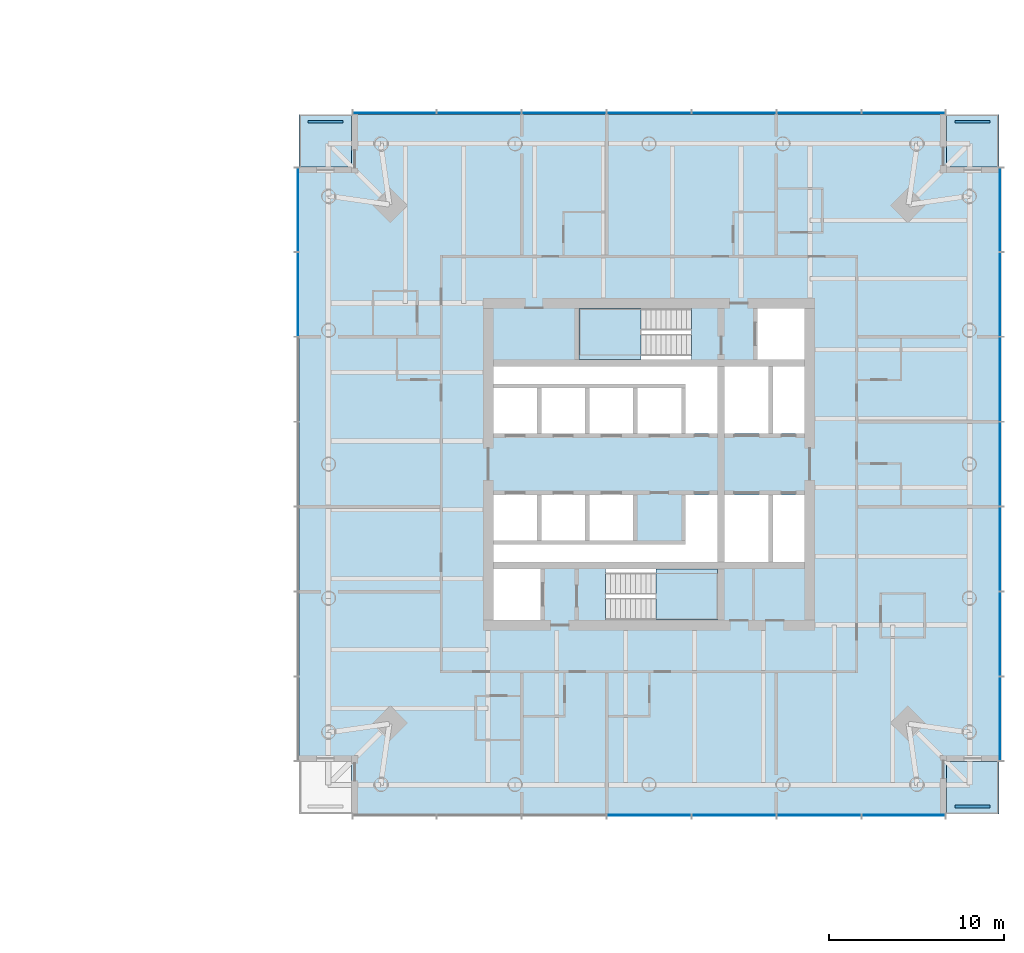
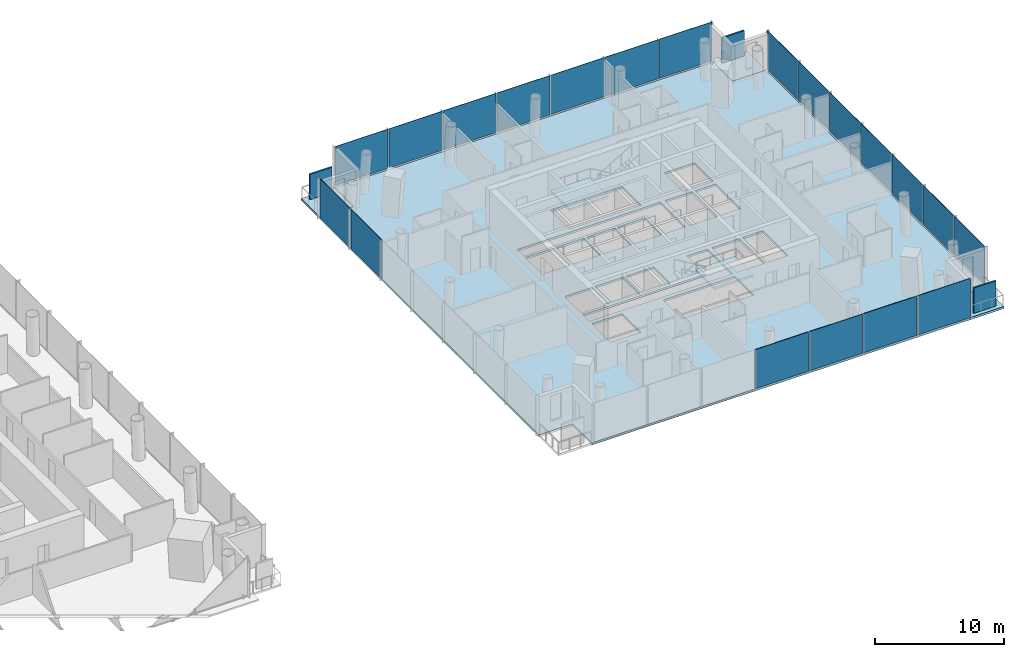
# One storey, part 8 of 26: 23 plates, 6 slabs, 6 elements without a shape of their own.
"""IFC4 building model written with IfcOpenShell, lengths in metres."""

from ifc_helpers import new_model, si_unit, direction, frame, origin, origin_2d, place, context, subcontext, project, spatial, polyline, rectangle, outline, extrude, material, layer, layer_set, type_object, element, aggregate, save


model = new_model("IFC4")

# Units and contexts
model_context = context("Model", 3, precision=1e-05, world=origin(), true_north=direction((0.0, 1.0)))
body_context = subcontext(model_context, "Body", "Model", "MODEL_VIEW")
ifc_project = project(units=[si_unit("LENGTHUNIT", "METRE"), si_unit("AREAUNIT", "SQUARE_METRE"), si_unit("VOLUMEUNIT", "CUBIC_METRE"), si_unit("PLANEANGLEUNIT", "RADIAN"), si_unit("MASSUNIT", "GRAM", prefix="KILO")], contexts=[model_context])

# Site, building, storey
site_placement = place(None, origin())
site = spatial("IfcSite", under=ifc_project, at=site_placement, CompositionType="ELEMENT")
building_placement = place(site_placement, origin())
building = spatial("IfcBuilding", under=site, at=building_placement, Name="Ostroluk Exchange", CompositionType="ELEMENT")
storey_placement = place(building_placement, frame((0.0, 0.0, 36.199951171875)))
storey = spatial("IfcBuildingStorey", under=building, at=storey_placement, Name="L08", CompositionType="ELEMENT", Elevation=36.199951171875)

# Curtain wall, plates
ifc_material_1 = material(Name="Laminated clear glass", Category="glass")
curtain_wall_type = type_object("IfcCurtainWallType", Name="Hotel guest floor facade", PredefinedType="USERDEFINED", material=ifc_material_1)
curtain_wall_1_placement = place(storey_placement, origin())
curtain_wall_1 = element("IfcCurtainWall", 1, at=curtain_wall_1_placement, inside=storey, type_object=curtain_wall_type, Name="Hotel tower south facade L08", ObjectType="UNITISED CURTAIN WALL", PredefinedType="USERDEFINED")
ifc_material_2 = material(Name="Laminated clear glass", Category="glass")
ifc_layer_1 = layer(ifc_material_2, 0.0400390625)
ifc_layer_set_1 = layer_set([ifc_layer_1], Name="Acoustic laminated glazing 40")
plate_type_1 = type_object("IfcPlateType", Name="Acoustic laminated glazing 40", PredefinedType="CURTAIN_PANEL", material=ifc_layer_set_1)
plate_1_placement = place(storey_placement, frame((117.0, 25.925048828125, 0.080078125), z_axis=(0.0, 0.0, 1.0), x_axis=(1.0, 0.0, 0.0)))
plate_1 = element("IfcPlate", 2, at=plate_1_placement, type_object=plate_type_1, Name="CW-H1 panel 4.1", PredefinedType="CURTAIN_PANEL", context=body_context, shape_type="SweptSolid", body=[
    extrude(rectangle(XDim=4.777099609375, YDim=0.0400390625, at=origin_2d()), origin(), (0.0, 0.0, 1.0), 3.719970703125),
])
plate_2_placement = place(storey_placement, frame((121.857177734375, 25.925048828125, 0.080078125), z_axis=(0.0, 0.0, 1.0), x_axis=(1.0, 0.0, 0.0)))
plate_2 = element("IfcPlate", 3, at=plate_2_placement, type_object=plate_type_1, Name="CW-H1 panel 5.1", PredefinedType="CURTAIN_PANEL", context=body_context, shape_type="SweptSolid", body=[
    extrude(rectangle(XDim=4.777099609375, YDim=0.0400390625, at=origin_2d()), origin(), (0.0, 0.0, 1.0), 3.719970703125),
])
plate_3_placement = place(storey_placement, frame((126.71435546875, 25.925048828125, 0.080078125), z_axis=(0.0, 0.0, 1.0), x_axis=(1.0, 0.0, 0.0)))
plate_3 = element("IfcPlate", 4, at=plate_3_placement, type_object=plate_type_1, Name="CW-H1 panel 6.1", PredefinedType="CURTAIN_PANEL", context=body_context, shape_type="SweptSolid", body=[
    extrude(rectangle(XDim=4.777099609375, YDim=0.0400390625, at=origin_2d()), origin(), (0.0, 0.0, 1.0), 3.719970703125),
])
plate_4_placement = place(storey_placement, frame((131.551513671875, 25.925048828125, 0.080078125), z_axis=(0.0, 0.0, 1.0), x_axis=(1.0, 0.0, 0.0)))
plate_4 = element("IfcPlate", 5, at=plate_4_placement, type_object=plate_type_1, Name="CW-H1 panel 7.1", PredefinedType="CURTAIN_PANEL", context=body_context, shape_type="SweptSolid", body=[
    extrude(rectangle(XDim=4.737060546875, YDim=0.0400390625, at=origin_2d()), origin(), (0.0, 0.0, 1.0), 3.719970703125),
])
aggregate(curtain_wall_1, [plate_1, plate_2, plate_3, plate_4])

curtain_wall_2_placement = place(storey_placement, origin())
curtain_wall_2 = element("IfcCurtainWall", 6, at=curtain_wall_2_placement, inside=storey, type_object=curtain_wall_type, Name="Hotel tower east facade L08", ObjectType="UNITISED CURTAIN WALL", PredefinedType="USERDEFINED")
plate_5_placement = place(storey_placement, frame((137.074951171875, 31.448486328125, 0.080078125), z_axis=(0.0, 0.0, 1.0), x_axis=(0.0, 1.0, 0.0)))
plate_5 = element("IfcPlate", 7, at=plate_5_placement, type_object=plate_type_1, Name="CW-H1 panel 1.1", PredefinedType="CURTAIN_PANEL", context=body_context, shape_type="SweptSolid", body=[
    extrude(rectangle(XDim=4.737060546875, YDim=0.0400390625, at=origin_2d()), origin(), (0.0, 0.0, 1.0), 3.719970703125),
])
plate_6_placement = place(storey_placement, frame((137.074951171875, 36.28564453125, 0.080078125), z_axis=(0.0, 0.0, 1.0), x_axis=(0.0, 1.0, 0.0)))
plate_6 = element("IfcPlate", 8, at=plate_6_placement, type_object=plate_type_1, Name="CW-H1 panel 2.1", PredefinedType="CURTAIN_PANEL", context=body_context, shape_type="SweptSolid", body=[
    extrude(rectangle(XDim=4.777099609375, YDim=0.0400390625, at=origin_2d()), origin(), (0.0, 0.0, 1.0), 3.719970703125),
])
plate_7_placement = place(storey_placement, frame((137.074951171875, 41.142822265625, 0.080078125), z_axis=(0.0, 0.0, 1.0), x_axis=(0.0, 1.0, 0.0)))
plate_7 = element("IfcPlate", 9, at=plate_7_placement, type_object=plate_type_1, Name="CW-H1 panel 3.1", PredefinedType="CURTAIN_PANEL", context=body_context, shape_type="SweptSolid", body=[
    extrude(rectangle(XDim=4.777099609375, YDim=0.0400390625, at=origin_2d()), origin(), (0.0, 0.0, 1.0), 3.719970703125),
])
plate_8_placement = place(storey_placement, frame((137.074951171875, 46.0, 0.080078125), z_axis=(0.0, 0.0, 1.0), x_axis=(0.0, 1.0, 0.0)))
plate_8 = element("IfcPlate", 10, at=plate_8_placement, type_object=plate_type_1, Name="CW-H1 panel 4.1", PredefinedType="CURTAIN_PANEL", context=body_context, shape_type="SweptSolid", body=[
    extrude(rectangle(XDim=4.777099609375, YDim=0.0400390625, at=origin_2d()), origin(), (0.0, 0.0, 1.0), 3.719970703125),
])
plate_9_placement = place(storey_placement, frame((137.074951171875, 50.857177734375, 0.080078125), z_axis=(0.0, 0.0, 1.0), x_axis=(0.0, 1.0, 0.0)))
plate_9 = element("IfcPlate", 11, at=plate_9_placement, type_object=plate_type_1, Name="CW-H1 panel 5.1", PredefinedType="CURTAIN_PANEL", context=body_context, shape_type="SweptSolid", body=[
    extrude(rectangle(XDim=4.777099609375, YDim=0.0400390625, at=origin_2d()), origin(), (0.0, 0.0, 1.0), 3.719970703125),
])
plate_10_placement = place(storey_placement, frame((137.074951171875, 55.71435546875, 0.080078125), z_axis=(0.0, 0.0, 1.0), x_axis=(0.0, 1.0, 0.0)))
plate_10 = element("IfcPlate", 12, at=plate_10_placement, type_object=plate_type_1, Name="CW-H1 panel 6.1", PredefinedType="CURTAIN_PANEL", context=body_context, shape_type="SweptSolid", body=[
    extrude(rectangle(XDim=4.777099609375, YDim=0.0400390625, at=origin_2d()), origin(), (0.0, 0.0, 1.0), 3.719970703125),
])
plate_11_placement = place(storey_placement, frame((137.074951171875, 60.551513671875, 0.080078125), z_axis=(0.0, 0.0, 1.0), x_axis=(0.0, 1.0, 0.0)))
plate_11 = element("IfcPlate", 13, at=plate_11_placement, type_object=plate_type_1, Name="CW-H1 panel 7.1", PredefinedType="CURTAIN_PANEL", context=body_context, shape_type="SweptSolid", body=[
    extrude(rectangle(XDim=4.737060546875, YDim=0.0400390625, at=origin_2d()), origin(), (0.0, 0.0, 1.0), 3.719970703125),
])
aggregate(curtain_wall_2, [plate_5, plate_6, plate_7, plate_8, plate_9, plate_10, plate_11])

curtain_wall_3_placement = place(storey_placement, origin())
curtain_wall_3 = element("IfcCurtainWall", 14, at=curtain_wall_3_placement, inside=storey, type_object=curtain_wall_type, Name="Hotel tower north facade L08", ObjectType="UNITISED CURTAIN WALL", PredefinedType="USERDEFINED")
plate_12_placement = place(storey_placement, frame((131.551513671875, 66.074951171875, 0.080078125), z_axis=(0.0, 0.0, 1.0), x_axis=(-1.0, 0.0, 0.0)))
plate_12 = element("IfcPlate", 15, at=plate_12_placement, type_object=plate_type_1, Name="CW-H1 panel 1.1", PredefinedType="CURTAIN_PANEL", context=body_context, shape_type="SweptSolid", body=[
    extrude(rectangle(XDim=4.737060546875, YDim=0.0400390625, at=origin_2d()), origin(), (0.0, 0.0, 1.0), 3.719970703125),
])
plate_13_placement = place(storey_placement, frame((126.71435546875, 66.074951171875, 0.080078125), z_axis=(0.0, 0.0, 1.0), x_axis=(-1.0, 0.0, 0.0)))
plate_13 = element("IfcPlate", 16, at=plate_13_placement, type_object=plate_type_1, Name="CW-H1 panel 2.1", PredefinedType="CURTAIN_PANEL", context=body_context, shape_type="SweptSolid", body=[
    extrude(rectangle(XDim=4.777099609375, YDim=0.0400390625, at=origin_2d()), origin(), (0.0, 0.0, 1.0), 3.719970703125),
])
plate_14_placement = place(storey_placement, frame((121.857177734375, 66.074951171875, 0.080078125), z_axis=(0.0, 0.0, 1.0), x_axis=(-1.0, 0.0, 0.0)))
plate_14 = element("IfcPlate", 17, at=plate_14_placement, type_object=plate_type_1, Name="CW-H1 panel 3.1", PredefinedType="CURTAIN_PANEL", context=body_context, shape_type="SweptSolid", body=[
    extrude(rectangle(XDim=4.777099609375, YDim=0.0400390625, at=origin_2d()), origin(), (0.0, 0.0, 1.0), 3.719970703125),
])
plate_15_placement = place(storey_placement, frame((117.0, 66.074951171875, 0.080078125), z_axis=(0.0, 0.0, 1.0), x_axis=(-1.0, 0.0, 0.0)))
plate_15 = element("IfcPlate", 18, at=plate_15_placement, type_object=plate_type_1, Name="CW-H1 panel 4.1", PredefinedType="CURTAIN_PANEL", context=body_context, shape_type="SweptSolid", body=[
    extrude(rectangle(XDim=4.777099609375, YDim=0.0400390625, at=origin_2d()), origin(), (0.0, 0.0, 1.0), 3.719970703125),
])
plate_16_placement = place(storey_placement, frame((112.142822265625, 66.074951171875, 0.080078125), z_axis=(0.0, 0.0, 1.0), x_axis=(-1.0, 0.0, 0.0)))
plate_16 = element("IfcPlate", 19, at=plate_16_placement, type_object=plate_type_1, Name="CW-H1 panel 5.1", PredefinedType="CURTAIN_PANEL", context=body_context, shape_type="SweptSolid", body=[
    extrude(rectangle(XDim=4.777099609375, YDim=0.0400390625, at=origin_2d()), origin(), (0.0, 0.0, 1.0), 3.719970703125),
])
plate_17_placement = place(storey_placement, frame((107.28564453125, 66.074951171875, 0.080078125), z_axis=(0.0, 0.0, 1.0), x_axis=(-1.0, 0.0, 0.0)))
plate_17 = element("IfcPlate", 20, at=plate_17_placement, type_object=plate_type_1, Name="CW-H1 panel 6.1", PredefinedType="CURTAIN_PANEL", context=body_context, shape_type="SweptSolid", body=[
    extrude(rectangle(XDim=4.777099609375, YDim=0.0400390625, at=origin_2d()), origin(), (0.0, 0.0, 1.0), 3.719970703125),
])
plate_18_placement = place(storey_placement, frame((102.448486328125, 66.074951171875, 0.080078125), z_axis=(0.0, 0.0, 1.0), x_axis=(-1.0, 0.0, 0.0)))
plate_18 = element("IfcPlate", 21, at=plate_18_placement, type_object=plate_type_1, Name="CW-H1 panel 7.1", PredefinedType="CURTAIN_PANEL", context=body_context, shape_type="SweptSolid", body=[
    extrude(rectangle(XDim=4.737060546875, YDim=0.0400390625, at=origin_2d()), origin(), (0.0, 0.0, 1.0), 3.719970703125),
])
aggregate(curtain_wall_3, [plate_12, plate_13, plate_14, plate_15, plate_16, plate_17, plate_18])

curtain_wall_4_placement = place(storey_placement, origin())
curtain_wall_4 = element("IfcCurtainWall", 22, at=curtain_wall_4_placement, inside=storey, type_object=curtain_wall_type, Name="Hotel tower west facade L08", ObjectType="UNITISED CURTAIN WALL", PredefinedType="USERDEFINED")
plate_19_placement = place(storey_placement, frame((96.925048828125, 60.551513671875, 0.080078125), z_axis=(0.0, 0.0, 1.0), x_axis=(0.0, -1.0, 0.0)))
plate_19 = element("IfcPlate", 23, at=plate_19_placement, type_object=plate_type_1, Name="CW-H1 panel 1.1", PredefinedType="CURTAIN_PANEL", context=body_context, shape_type="SweptSolid", body=[
    extrude(rectangle(XDim=4.737060546875, YDim=0.0400390625, at=origin_2d()), origin(), (0.0, 0.0, 1.0), 3.719970703125),
])
plate_20_placement = place(storey_placement, frame((96.925048828125, 55.71435546875, 0.080078125), z_axis=(0.0, 0.0, 1.0), x_axis=(0.0, -1.0, 0.0)))
plate_20 = element("IfcPlate", 24, at=plate_20_placement, type_object=plate_type_1, Name="CW-H1 panel 2.1", PredefinedType="CURTAIN_PANEL", context=body_context, shape_type="SweptSolid", body=[
    extrude(rectangle(XDim=4.777099609375, YDim=0.0400390625, at=origin_2d()), origin(), (0.0, 0.0, 1.0), 3.719970703125),
])
aggregate(curtain_wall_4, [plate_19, plate_20])

# Slabs
ifc_material_3 = material(Name="Concrete C35/45", Category="concrete")
ifc_layer_2 = layer(ifc_material_3, 0.199951171875)
ifc_layer_set_2 = layer_set([ifc_layer_2], Name="Balcony slab 200")
slab_type_1 = type_object("IfcSlabType", Name="Balcony slab 200", PredefinedType="USERDEFINED", material=ifc_layer_set_2)
slab_1_placement = place(storey_placement, frame((0.0, 0.0, -0.199951171875)))
element("IfcSlab", 25, at=slab_1_placement, inside=storey, type_object=slab_type_1, Name="Hotel tower SE corner balcony L08", ObjectType="BALCONY", PredefinedType="USERDEFINED", context=body_context, shape_type="SweptSolid", body=[
    extrude(outline(polyline([(134.0, 26.0), (137.0, 26.0), (137.0, 29.0), (134.0, 29.0), (134.0, 26.0)])), origin(), (0.0, 0.0, 1.0), 0.199951171875),
])
slab_2_placement = place(storey_placement, frame((0.0, 0.0, -0.199951171875)))
element("IfcSlab", 26, at=slab_2_placement, inside=storey, type_object=slab_type_1, Name="Hotel tower NE corner balcony L08", ObjectType="BALCONY", PredefinedType="USERDEFINED", context=body_context, shape_type="SweptSolid", body=[
    extrude(outline(polyline([(134.0, 63.0), (137.0, 63.0), (137.0, 66.0), (134.0, 66.0), (134.0, 63.0)])), origin(), (0.0, 0.0, 1.0), 0.199951171875),
])
slab_3_placement = place(storey_placement, frame((0.0, 0.0, -0.199951171875)))
element("IfcSlab", 27, at=slab_3_placement, inside=storey, type_object=slab_type_1, Name="Hotel tower NW corner balcony L08", ObjectType="BALCONY", PredefinedType="USERDEFINED", context=body_context, shape_type="SweptSolid", body=[
    extrude(outline(polyline([(97.0, 63.0), (100.0, 63.0), (100.0, 66.0), (97.0, 66.0), (97.0, 63.0)])), origin(), (0.0, 0.0, 1.0), 0.199951171875),
])

# Plates
ifc_material_4 = material(Name="Steel S355 trellis with planting", Category="steel")
ifc_layer_3 = layer(ifc_material_4, 0.14990234375)
ifc_layer_set_3 = layer_set([ifc_layer_3], Name="Planted screen 150")
plate_type_2 = type_object("IfcPlateType", Name="Planted screen 150", PredefinedType="USERDEFINED", material=ifc_layer_set_3)
for number, where, z_axis, x_axis, name in (
    (28, (135.5, 26.425048828125, 0.0), (0.0, 0.0, 1.0), (1.0, 0.0, 0.0), "Hotel tower SE planted screen L08"),
    (29, (135.5, 65.574951171875, 0.0), (0.0, 0.0, 1.0), (1.0, 0.0, 0.0), "Hotel tower NE planted screen L08"),
    (30, (98.5, 65.574951171875, 0.0), (0.0, 0.0, 1.0), (1.0, 0.0, 0.0), "Hotel tower NW planted screen L08"),
):
    element("IfcPlate", number, at=place(storey_placement, frame(where, z_axis=z_axis, x_axis=x_axis)), inside=storey, type_object=plate_type_2, Name=name, ObjectType="PLANTED SCREEN", PredefinedType="USERDEFINED", context=body_context, shape_type="SweptSolid", body=[
        extrude(rectangle(XDim=2.0, YDim=0.14990234375, at=origin_2d()), origin(), (0.0, 0.0, 1.0), 2.39990234375),
    ])

# Stair, slab
ifc_material_5 = material(Name="Concrete C30/37", Category="concrete")
stair_type = type_object("IfcStairType", Name="Exit stair half turn 3800", PredefinedType="HALF_TURN_STAIR", material=ifc_material_5)
stair_1_placement = place(storey_placement, origin())
stair_1 = element("IfcStair", 31, at=stair_1_placement, inside=storey, type_object=stair_type, Name="Stair T2-S1 L08", PredefinedType="HALF_TURN_STAIR")
ifc_material_6 = material(Name="Concrete C30/37", Category="concrete")
ifc_layer_4 = layer(ifc_material_6, 0.199951171875)
ifc_layer_set_4 = layer_set([ifc_layer_4], Name="Stair landing 200")
slab_type_2 = type_object("IfcSlabType", Name="Stair landing 200", PredefinedType="LANDING", material=ifc_layer_set_4)
slab_4_placement = place(storey_placement, frame((0.0, 0.0, 1.699951171875)))
slab_4 = element("IfcSlab", 32, at=slab_4_placement, type_object=slab_type_2, Name="T2-S1 landing 1", PredefinedType="LANDING", context=body_context, shape_type="SweptSolid", body=[
    extrude(outline(polyline([(117.39990234375, 37.10009765625), (117.39990234375, 40.0), (120.929931640625, 40.0), (120.929931640625, 37.10009765625), (117.39990234375, 37.10009765625)])), origin(), (0.0, 0.0, 1.0), 0.2001953125),
])
aggregate(stair_1, [slab_4])

stair_2_placement = place(storey_placement, origin())
stair_2 = element("IfcStair", 33, at=stair_2_placement, inside=storey, type_object=stair_type, Name="Stair T2-S2 L08", PredefinedType="HALF_TURN_STAIR")
slab_5_placement = place(storey_placement, frame((0.0, 0.0, 1.699951171875)))
slab_5 = element("IfcSlab", 34, at=slab_5_placement, type_object=slab_type_2, Name="T2-S2 landing 1", PredefinedType="LANDING", context=body_context, shape_type="SweptSolid", body=[
    extrude(outline(polyline([(116.530029296875, 52.0), (116.530029296875, 54.89990234375), (113.0, 54.89990234375), (113.0, 52.0), (116.530029296875, 52.0)])), origin(), (0.0, 0.0, 1.0), 0.2001953125),
])
aggregate(stair_2, [slab_5])

# Slab
ifc_material_7 = material(Name="Concrete C35/45", Category="concrete")
ifc_layer_5 = layer(ifc_material_7, 0.199951171875)
ifc_layer_set_5 = layer_set([ifc_layer_5], Name="Tower floor slab 200 composite")
slab_type_3 = type_object("IfcSlabType", Name="Tower floor slab 200 composite", PredefinedType="FLOOR", material=ifc_layer_set_5)
slab_6_placement = place(storey_placement, frame((0.0, 0.0, -0.199951171875)))
element("IfcSlab", 35, at=slab_6_placement, inside=storey, type_object=slab_type_3, Name="Hotel tower floor slab L08", PredefinedType="FLOOR", context=body_context, shape_type="SweptSolid", body=[
    extrude(outline(polyline([(100.0, 26.0), (134.0, 26.0), (134.0, 29.0), (137.0, 29.0), (137.0, 63.0), (134.0, 63.0), (134.0, 66.0), (100.0, 66.0), (100.0, 63.0), (97.0, 63.0), (97.0, 29.0), (100.0, 29.0), (100.0, 26.0)]), holes=[polyline([(108.10009765625, 37.10009765625), (110.800048828125, 37.10009765625), (110.800048828125, 40.0), (108.10009765625, 40.0), (108.10009765625, 37.10009765625)]), polyline([(114.510009765625, 37.10009765625), (120.929931640625, 37.10009765625), (120.929931640625, 40.0), (114.510009765625, 40.0), (114.510009765625, 37.10009765625)]), polyline([(113.0, 52.0), (119.419921875, 52.0), (119.419921875, 54.89990234375), (113.0, 54.89990234375), (113.0, 52.0)]), polyline([(123.199951171875, 52.0), (125.89990234375, 52.0), (125.89990234375, 54.89990234375), (123.199951171875, 54.89990234375), (123.199951171875, 52.0)]), polyline([(108.10009765625, 47.75), (110.60009765625, 47.75), (110.60009765625, 50.35009765625), (108.10009765625, 50.35009765625), (108.10009765625, 47.75)]), polyline([(110.85009765625, 47.75), (113.35009765625, 47.75), (113.35009765625, 50.35009765625), (110.85009765625, 50.35009765625), (110.85009765625, 47.75)]), polyline([(113.60009765625, 47.75), (116.10009765625, 47.75), (116.10009765625, 50.35009765625), (113.60009765625, 50.35009765625), (113.60009765625, 47.75)]), polyline([(116.35009765625, 47.75), (118.85009765625, 47.75), (118.85009765625, 50.35009765625), (116.35009765625, 50.35009765625), (116.35009765625, 47.75)]), polyline([(108.10009765625, 41.64990234375), (110.60009765625, 41.64990234375), (110.60009765625, 44.25), (108.10009765625, 44.25), (108.10009765625, 41.64990234375)]), polyline([(110.85009765625, 41.64990234375), (113.35009765625, 41.64990234375), (113.35009765625, 44.25), (110.85009765625, 44.25), (110.85009765625, 41.64990234375)]), polyline([(113.60009765625, 41.64990234375), (116.10009765625, 41.64990234375), (116.10009765625, 44.25), (113.60009765625, 44.25), (113.60009765625, 41.64990234375)]), polyline([(121.330078125, 47.75), (123.830078125, 47.75), (123.830078125, 51.60009765625), (121.330078125, 51.60009765625), (121.330078125, 47.75)]), polyline([(121.330078125, 40.39990234375), (123.830078125, 40.39990234375), (123.830078125, 44.25), (121.330078125, 44.25), (121.330078125, 40.39990234375)]), polyline([(120.929931640625, 51.60009765625), (120.929931640625, 47.75), (119.10009765625, 47.75), (119.10009765625, 50.60009765625), (108.10009765625, 50.60009765625), (108.10009765625, 51.60009765625), (120.929931640625, 51.60009765625)]), polyline([(108.10009765625, 40.39990234375), (108.10009765625, 41.39990234375), (119.10009765625, 41.39990234375), (119.10009765625, 44.25), (120.929931640625, 44.25), (120.929931640625, 40.39990234375), (108.10009765625, 40.39990234375)]), polyline([(124.080078125, 47.75), (125.89990234375, 47.75), (125.89990234375, 51.60009765625), (124.080078125, 51.60009765625), (124.080078125, 47.75)]), polyline([(124.080078125, 40.39990234375), (125.89990234375, 40.39990234375), (125.89990234375, 44.25), (124.080078125, 44.25), (124.080078125, 40.39990234375)])]), origin(), (0.0, 0.0, 1.0), 0.199951171875),
])

save(model, "model.ifc")
